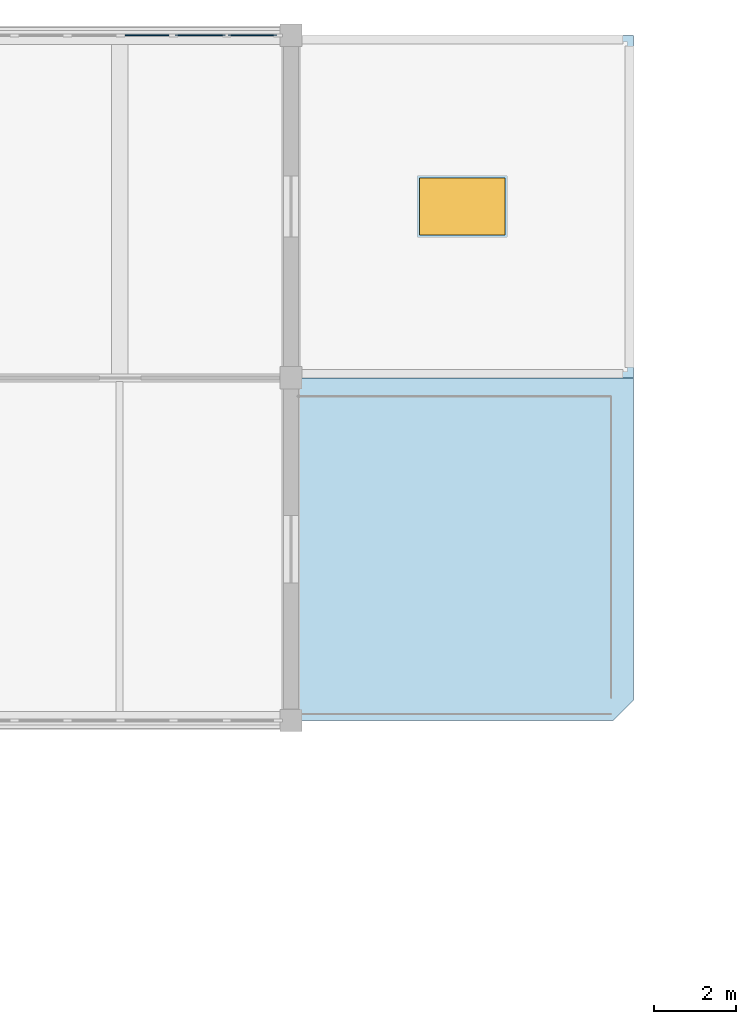
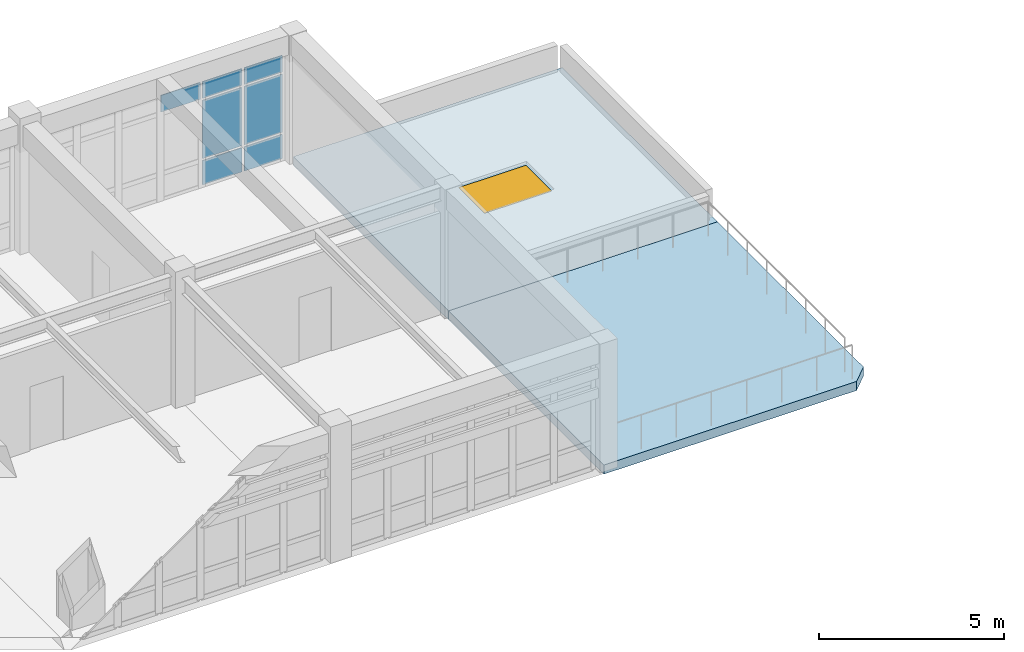
# One storey, part 58 of 78: 7 plates, 2 slabs, 1 window, 1 opening, 1 element without a shape of its own.
"""IFC4 building model written with IfcOpenShell, lengths in metres."""

from ifc_helpers import new_model, si_unit, direction, frame, origin, origin_2d, place, context, subcontext, project, spatial, polyline, rectangle, outline, extrude, material, layer, layer_set, type_object, element, fill, aggregate, save


model = new_model("IFC4")

# Units and contexts
model_context = context("Model", 3, precision=1e-05, world=origin(), true_north=direction((0.0, 1.0)))
body_context = subcontext(model_context, "Body", "Model", "MODEL_VIEW")
ifc_project = project(units=[si_unit("LENGTHUNIT", "METRE"), si_unit("AREAUNIT", "SQUARE_METRE"), si_unit("VOLUMEUNIT", "CUBIC_METRE"), si_unit("PLANEANGLEUNIT", "RADIAN"), si_unit("MASSUNIT", "GRAM", prefix="KILO")], contexts=[model_context])

# Site, building, storey
site_placement = place(None, origin())
site = spatial("IfcSite", under=ifc_project, at=site_placement, CompositionType="ELEMENT")
building_placement = place(site_placement, origin())
building = spatial("IfcBuilding", under=site, at=building_placement, Name="Porcellanite Civic Hall", CompositionType="ELEMENT")
storey_placement = place(building_placement, frame((0.0, 0.0, 10.260009765625)))
storey = spatial("IfcBuildingStorey", under=building, at=storey_placement, Name="L02", CompositionType="ELEMENT", Elevation=10.260009765625)

# Curtain wall, plates
ifc_material_1 = material(Name="Anodised aluminium and solar laminated glass", Category="aluminium")
ifc_layer_1 = layer(ifc_material_1, 0.179931640625)
ifc_layer_set_1 = layer_set([ifc_layer_1], Name="Anodised aluminium and solar laminated glass")
curtain_wall_type = type_object("IfcCurtainWallType", Name="CW-SYS02", PredefinedType="NOTDEFINED", material=ifc_layer_set_1)
curtain_wall_placement = place(storey_placement, origin())
curtain_wall = element("IfcCurtainWall", 1, at=curtain_wall_placement, inside=storey, type_object=curtain_wall_type, Name="Curtain wall CW-180", PredefinedType="NOTDEFINED")
ifc_material_2 = material(Name="Cyclone laminated solar-control low-E glass", Category="glass")
ifc_layer_2 = layer(ifc_material_2, 0.02587890625)
ifc_layer_set_2 = layer_set([ifc_layer_2], Name="Cyclone laminated solar-control low-E glass")
plate_type = type_object("IfcPlateType", Name="CWP-02", PredefinedType="CURTAIN_PANEL", material=ifc_layer_set_2)
plate_1_placement = place(storey_placement, frame((156.074951171875, 117.60009765625, 2.92236328125), z_axis=(0.0, 0.0, 1.0), x_axis=(1.0, 0.0, 0.0)))
plate_1 = element("IfcPlate", 2, at=plate_1_placement, type_object=plate_type, Name="CW-180 panel 4.3", PredefinedType="CURTAIN_PANEL", context=body_context, shape_type="SweptSolid", body=[
    extrude(rectangle(XDim=1.224609375, YDim=0.02587890625, at=origin_2d()), origin(), (0.0, 0.0, 1.0), 0.552490234375),
])
plate_2_placement = place(storey_placement, frame((157.37451171875, 117.60009765625, 0.06494140625), z_axis=(0.0, 0.0, 1.0), x_axis=(1.0, 0.0, 0.0)))
plate_2 = element("IfcPlate", 3, at=plate_2_placement, type_object=plate_type, Name="CW-180 panel 5.1", PredefinedType="CURTAIN_PANEL", context=body_context, shape_type="SweptSolid", body=[
    extrude(rectangle(XDim=1.224609375, YDim=0.02587890625, at=origin_2d()), origin(), (0.0, 0.0, 1.0), 0.802490234375),
])
plate_3_placement = place(storey_placement, frame((157.37451171875, 117.60009765625, 0.9326171875), z_axis=(0.0, 0.0, 1.0), x_axis=(1.0, 0.0, 0.0)))
plate_3 = element("IfcPlate", 4, at=plate_3_placement, type_object=plate_type, Name="CW-180 panel 5.2", PredefinedType="CURTAIN_PANEL", context=body_context, shape_type="SweptSolid", body=[
    extrude(rectangle(XDim=1.224609375, YDim=0.02587890625, at=origin_2d()), origin(), (0.0, 0.0, 1.0), 1.925048828125),
])
plate_4_placement = place(storey_placement, frame((157.37451171875, 117.60009765625, 2.92236328125), z_axis=(0.0, 0.0, 1.0), x_axis=(1.0, 0.0, 0.0)))
plate_4 = element("IfcPlate", 5, at=plate_4_placement, type_object=plate_type, Name="CW-180 panel 5.3", PredefinedType="CURTAIN_PANEL", context=body_context, shape_type="SweptSolid", body=[
    extrude(rectangle(XDim=1.224609375, YDim=0.02587890625, at=origin_2d()), origin(), (0.0, 0.0, 1.0), 0.552490234375),
])
plate_5_placement = place(storey_placement, frame((158.655517578125, 117.60009765625, 0.06494140625), z_axis=(0.0, 0.0, 1.0), x_axis=(1.0, 0.0, 0.0)))
plate_5 = element("IfcPlate", 6, at=plate_5_placement, type_object=plate_type, Name="CW-180 panel 6.1", PredefinedType="CURTAIN_PANEL", context=body_context, shape_type="SweptSolid", body=[
    extrude(rectangle(XDim=1.187255859375, YDim=0.02587890625, at=origin_2d()), origin(), (0.0, 0.0, 1.0), 0.802490234375),
])
plate_6_placement = place(storey_placement, frame((158.655517578125, 117.60009765625, 0.9326171875), z_axis=(0.0, 0.0, 1.0), x_axis=(1.0, 0.0, 0.0)))
plate_6 = element("IfcPlate", 7, at=plate_6_placement, type_object=plate_type, Name="CW-180 panel 6.2", PredefinedType="CURTAIN_PANEL", context=body_context, shape_type="SweptSolid", body=[
    extrude(rectangle(XDim=1.187255859375, YDim=0.02587890625, at=origin_2d()), origin(), (0.0, 0.0, 1.0), 1.925048828125),
])
plate_7_placement = place(storey_placement, frame((158.655517578125, 117.60009765625, 2.92236328125), z_axis=(0.0, 0.0, 1.0), x_axis=(1.0, 0.0, 0.0)))
plate_7 = element("IfcPlate", 8, at=plate_7_placement, type_object=plate_type, Name="CW-180 panel 6.3", PredefinedType="CURTAIN_PANEL", context=body_context, shape_type="SweptSolid", body=[
    extrude(rectangle(XDim=1.187255859375, YDim=0.02587890625, at=origin_2d()), origin(), (0.0, 0.0, 1.0), 0.552490234375),
])
aggregate(curtain_wall, [plate_1, plate_2, plate_3, plate_4, plate_5, plate_6, plate_7])

# Slab, opening, window
ifc_material_3 = material(Name="Concrete N40 (40 MPa)", Category="concrete")
ifc_layer_3 = layer(ifc_material_3, 0.300048828125)
ifc_layer_set_3 = layer_set([ifc_layer_3], Name="Concrete N40 (40 MPa)")
slab_type_1 = type_object("IfcSlabType", Name="SL-RF300", PredefinedType="ROOF", material=ifc_layer_set_3)
slab_1_placement = place(storey_placement, frame((0.0, 0.0, -0.300048828125)))
slab_1 = element("IfcSlab", 9, at=slab_1_placement, inside=storey, type_object=slab_type_1, Name="Roof slab L02 20-14", PredefinedType="ROOF", context=body_context, shape_type="SweptSolid", body=[
    extrude(outline(polyline([(159.60009765625, 109.199951171875), (168.0, 109.199951171875), (168.0, 117.60009765625), (159.60009765625, 117.60009765625), (159.60009765625, 109.199951171875)])), origin(), (0.0, 0.0, 1.0), 0.300048828125),
])
opening_placement = place(slab_1_placement, frame((163.800048828125, 113.39990234375, 0.0)))
opening = element("IfcOpeningElement", 10, at=opening_placement, cuts=slab_1, Name="Opening SK4", PredefinedType="OPENING", context=body_context, shape_type="SweptSolid", body=[
    extrude(rectangle(XDim=2.10009765625, YDim=1.39990234375, at=origin_2d()), origin(), (0.0, 0.0, 1.0), 0.300048828125),
])
ifc_material_4 = material(Name="Cyclone laminated low-E glazing in anodised aluminium frame", Category="aluminium")
window_type = type_object("IfcWindowType", Name="SK-04", PartitioningType="DOUBLE_PANEL_VERTICAL", PredefinedType="SKYLIGHT", material=ifc_material_4)
window_placement = place(opening_placement, frame((0.0, 0.0, 0.25)))
window = element("IfcWindow", 11, at=window_placement, inside=storey, type_object=window_type, Name="Roof skylight SK4 L02 20-14", OverallHeight=1.39990234375, OverallWidth=2.10009765625, PartitioningType="SINGLE_PANEL", PredefinedType="SKYLIGHT", context=body_context, shape_type="SweptSolid", body=[
    extrude(rectangle(XDim=2.10009765625, YDim=1.39990234375, at=origin_2d()), origin(), (0.0, 0.0, 1.0), 0.050048828125),
])
fill(opening, window)

# Slab
ifc_material_5 = material(Name="Concrete N40 (40 MPa)", Category="concrete")
ifc_layer_4 = layer(ifc_material_5, 0.300048828125)
ifc_layer_set_4 = layer_set([ifc_layer_4], Name="Concrete N40 (40 MPa)")
slab_type_2 = type_object("IfcSlabType", Name="SL-TER300", PredefinedType="FLOOR", material=ifc_layer_set_4)
slab_2_placement = place(storey_placement, frame((0.0, 0.0, -0.300048828125)))
element("IfcSlab", 12, at=slab_2_placement, inside=storey, type_object=slab_type_2, Name="Civic terrace slab L02 20-13", PredefinedType="FLOOR", context=body_context, shape_type="SweptSolid", body=[
    extrude(outline(polyline([(159.60009765625, 100.800048828125), (167.5, 100.800048828125), (168.0, 101.300048828125), (168.0, 109.199951171875), (159.60009765625, 109.199951171875), (159.60009765625, 100.800048828125)])), origin(), (0.0, 0.0, 1.0), 0.300048828125),
])

save(model, "model.ifc")
